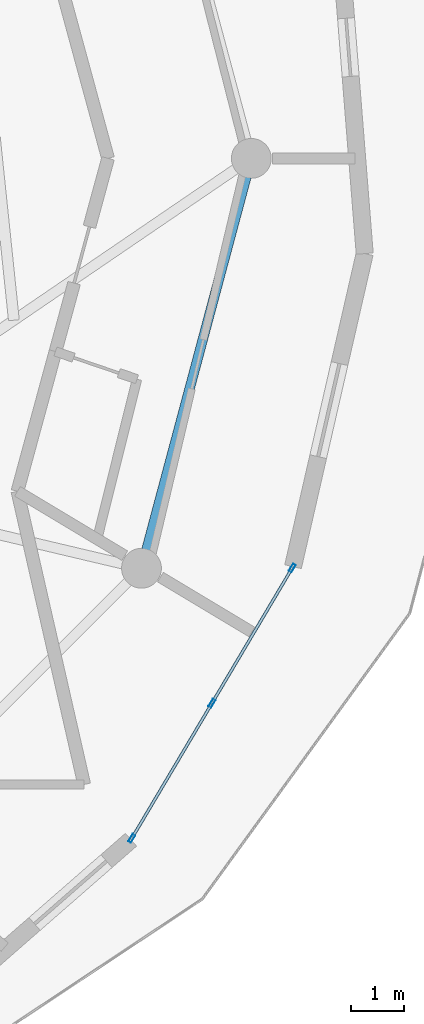
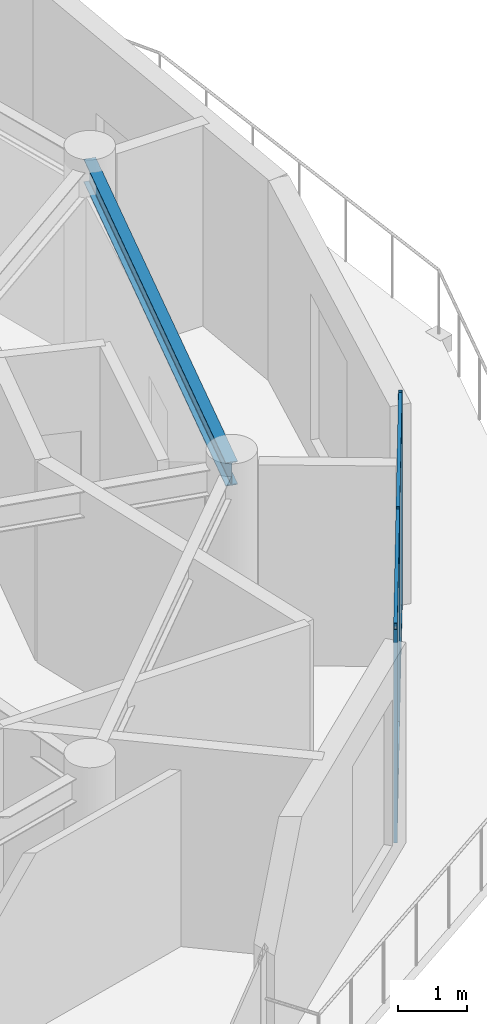
# One storey, part 12 of 22: 7 members, 1 beam, 1 element without a shape of its own.
"""IFC4 building model written with IfcOpenShell, lengths in metres."""

from ifc_helpers import new_model, si_unit, direction, frame, origin, origin_2d, place, context, subcontext, project, spatial, hollow_rectangle, i_section, extrude, source, transform, mapped, material, layer, layer_set, material_profile, profile_set, type_object, element, aggregate, save


model = new_model("IFC4")

# Units and contexts
model_context = context("Model", 3, precision=1e-05, world=origin(), true_north=direction((0.0, 1.0)))
body_context = subcontext(model_context, "Body", "Model", "MODEL_VIEW")
ifc_project = project(units=[si_unit("LENGTHUNIT", "METRE"), si_unit("AREAUNIT", "SQUARE_METRE"), si_unit("VOLUMEUNIT", "CUBIC_METRE"), si_unit("PLANEANGLEUNIT", "RADIAN"), si_unit("MASSUNIT", "GRAM", prefix="KILO")], contexts=[model_context])

# Site, building, storey
site_placement = place(None, origin())
site = spatial("IfcSite", under=ifc_project, at=site_placement, CompositionType="ELEMENT")
building_placement = place(site_placement, origin())
building = spatial("IfcBuilding", under=site, at=building_placement, Name="Solvirekh Grand Hotel", CompositionType="ELEMENT")
storey_placement = place(building_placement, frame((0.0, 0.0, 243.0)))
storey = spatial("IfcBuildingStorey", under=building, at=storey_placement, Name="L63", CompositionType="ELEMENT", Elevation=243.0)

# Beam
ifc_material_1 = material(Name="Steel S355", Category="steel")
ifc_material_profile_1 = material_profile(ifc_material_1, i_section(OverallWidth=0.180908203125, OverallDepth=0.4169921875, WebThickness=0.010009765625, FlangeThickness=0.01611328125, FilletRadius=0.011962890625, at=origin_2d()), Name="W410X85")
ifc_profile_set_1 = profile_set([ifc_material_profile_1], Name="Steel S355")
beam_type = type_object("IfcBeamType", Name="Spandrel_Ring_W410", PredefinedType="SPANDREL", material=ifc_profile_set_1)
beam_placement = place(storey_placement, frame((13.3798828125, -7.72509765625, 3.362060546875), z_axis=(0.258834757072, 0.965921616143, 0.0), x_axis=(-0.965921616143, 0.258834757072, 0.0)))
element("IfcBeam", 1, at=beam_placement, inside=storey, type_object=beam_type, Name="L63 perimeter spandrel beam 12", PredefinedType="SPANDREL", context=body_context, shape_type="SweptSolid", body=[
    extrude(i_section(OverallWidth=0.180908203125, OverallDepth=0.4169921875, WebThickness=0.010009765625, FlangeThickness=0.01611328125, FilletRadius=0.011962890625, at=origin_2d()), origin(), (0.0, 0.0, 1.0), 7.99755859375),
])

# Curtain wall, members
ifc_material_2 = material(Name="Anodized Bronze Aluminium 6063-T6", Category="aluminium")
ifc_layer = layer(ifc_material_2, 0.159912109375)
ifc_layer_set = layer_set([ifc_layer], Name="Anodized Bronze Aluminium 6063-T6")
curtain_wall_type = type_object("IfcCurtainWallType", Name="CW_Sys4_HighZoneFlushBronzeCW", PredefinedType="NOTDEFINED", material=ifc_layer_set)
curtain_wall_placement = place(storey_placement, origin())
curtain_wall = element("IfcCurtainWall", 2, at=curtain_wall_placement, inside=storey, type_object=curtain_wall_type, Name="L63 unitised bronze-glass curtain wall CW-L63-C03", PredefinedType="NOTDEFINED")
ifc_material_profile_2 = material_profile(ifc_material_2, hollow_rectangle(XDim=0.06005859375, YDim=0.159912109375, WallThickness=0.0048828125, at=origin_2d()), Name="ALU RHS 160X60X5")
ifc_profile_set_2 = profile_set([ifc_material_profile_2], Name="Anodized Bronze Aluminium 6063-T6")
member_type_1 = type_object("IfcMemberType", Name="CWMullion_Sys4", PredefinedType="MULLION", material=ifc_profile_set_2)
shared_shape_1 = source(origin(), body_context, "Body", "SweptSolid", [
    extrude(hollow_rectangle(XDim=0.06005859375, YDim=0.159912109375, WallThickness=0.0048828125, at=origin_2d()), origin(), (0.0, 0.0, 1.0), 3.800048828125),
])
member_1_placement = place(storey_placement, frame((13.197265625, -12.816162109375, 0.0), z_axis=(0.0, 0.0, 1.0), x_axis=(-0.860003699356, 0.5102877983, 0.0)))
member_1 = element("IfcMember", 3, at=member_1_placement, type_object=member_type_1, Name="U04 mullion 1", PredefinedType="MULLION", context=body_context, shape_type="MappedRepresentation", body=[
    mapped(shared_shape_1, transform((0.0, 0.0, 0.0), x_axis=(1.0, 0.0, 0.0), y_axis=(0.0, 1.0, 0.0), z_axis=(0.0, 0.0, 1.0), scale=1.0)),
])
member_2_placement = place(storey_placement, frame((14.708984375, -10.2685546875, 0.0), z_axis=(0.0, 0.0, 1.0), x_axis=(-0.860003699356, 0.5102877983, 0.0)))
member_2 = element("IfcMember", 4, at=member_2_placement, type_object=member_type_1, Name="U04 mullion 2", PredefinedType="MULLION", context=body_context, shape_type="MappedRepresentation", body=[
    mapped(shared_shape_1, transform((0.0, 0.0, 0.0), x_axis=(1.0, 0.0, 0.0), y_axis=(0.0, 1.0, 0.0), z_axis=(0.0, 0.0, 1.0), scale=1.0)),
])
member_3_placement = place(storey_placement, frame((16.220703125, -7.720703125, 0.0), z_axis=(0.0, 0.0, 1.0), x_axis=(-0.860003699356, 0.5102877983, 0.0)))
member_3 = element("IfcMember", 5, at=member_3_placement, type_object=member_type_1, Name="U04 mullion 3", PredefinedType="MULLION", context=body_context, shape_type="MappedRepresentation", body=[
    mapped(shared_shape_1, transform((0.0, 0.0, 0.0), x_axis=(1.0, 0.0, 0.0), y_axis=(0.0, 1.0, 0.0), z_axis=(0.0, 0.0, 1.0), scale=1.0)),
])
ifc_material_profile_3 = material_profile(ifc_material_2, hollow_rectangle(XDim=0.054931640625, YDim=0.1201171875, WallThickness=0.00390625, at=origin_2d()), Name="ALU RHS 120X55X4")
ifc_profile_set_3 = profile_set([ifc_material_profile_3], Name="Anodized Bronze Aluminium 6063-T6")
member_type_2 = type_object("IfcMemberType", Name="CWTransom_Sys4", PredefinedType="USERDEFINED", material=ifc_profile_set_3)
shared_shape_2 = source(origin(), body_context, "Body", "SweptSolid", [
    extrude(hollow_rectangle(XDim=0.054931640625, YDim=0.1201171875, WallThickness=0.00390625, at=origin_2d()), origin(), (0.0, 0.0, 1.0), 2.90234375),
])
member_4_placement = place(storey_placement, frame((13.212646484375, -12.790283203125, 0.027587890625), z_axis=(0.510258860658, 0.860020869003, 0.0), x_axis=(-0.860020869003, 0.510258860658, 0.0)))
member_4 = element("IfcMember", 6, at=member_4_placement, type_object=member_type_2, Name="U04 transom 1.1", ObjectType="TRANSOM", PredefinedType="USERDEFINED", context=body_context, shape_type="MappedRepresentation", body=[
    mapped(shared_shape_2, transform((0.0, 0.0, 0.0), x_axis=(1.0, 0.0, 0.0), y_axis=(0.0, 1.0, 0.0), z_axis=(0.0, 0.0, 1.0), scale=1.0)),
])
member_5_placement = place(storey_placement, frame((13.212646484375, -12.790283203125, 3.7724609375), z_axis=(0.510258860658, 0.860020869003, 0.0), x_axis=(-0.860020869003, 0.510258860658, 0.0)))
member_5 = element("IfcMember", 7, at=member_5_placement, type_object=member_type_2, Name="U04 transom 1.2", ObjectType="TRANSOM", PredefinedType="USERDEFINED", context=body_context, shape_type="MappedRepresentation", body=[
    mapped(shared_shape_2, transform((0.0, 0.0, 0.0), x_axis=(1.0, 0.0, 0.0), y_axis=(0.0, 1.0, 0.0), z_axis=(0.0, 0.0, 1.0), scale=1.0)),
])
member_6_placement = place(storey_placement, frame((14.724365234375, -10.24267578125, 0.027587890625), z_axis=(0.510258860658, 0.860020869003, 0.0), x_axis=(-0.860020869003, 0.510258860658, 0.0)))
member_6 = element("IfcMember", 8, at=member_6_placement, type_object=member_type_2, Name="U04 transom 2.1", ObjectType="TRANSOM", PredefinedType="USERDEFINED", context=body_context, shape_type="MappedRepresentation", body=[
    mapped(shared_shape_2, transform((0.0, 0.0, 0.0), x_axis=(1.0, 0.0, 0.0), y_axis=(0.0, 1.0, 0.0), z_axis=(0.0, 0.0, 1.0), scale=1.0)),
])
member_7_placement = place(storey_placement, frame((14.724365234375, -10.24267578125, 3.7724609375), z_axis=(0.510258860658, 0.860020869003, 0.0), x_axis=(-0.860020869003, 0.510258860658, 0.0)))
member_7 = element("IfcMember", 9, at=member_7_placement, type_object=member_type_2, Name="U04 transom 2.2", ObjectType="TRANSOM", PredefinedType="USERDEFINED", context=body_context, shape_type="MappedRepresentation", body=[
    mapped(shared_shape_2, transform((0.0, 0.0, 0.0), x_axis=(1.0, 0.0, 0.0), y_axis=(0.0, 1.0, 0.0), z_axis=(0.0, 0.0, 1.0), scale=1.0)),
])
aggregate(curtain_wall, [member_1, member_2, member_3, member_4, member_5, member_6, member_7])

save(model, "model.ifc")
